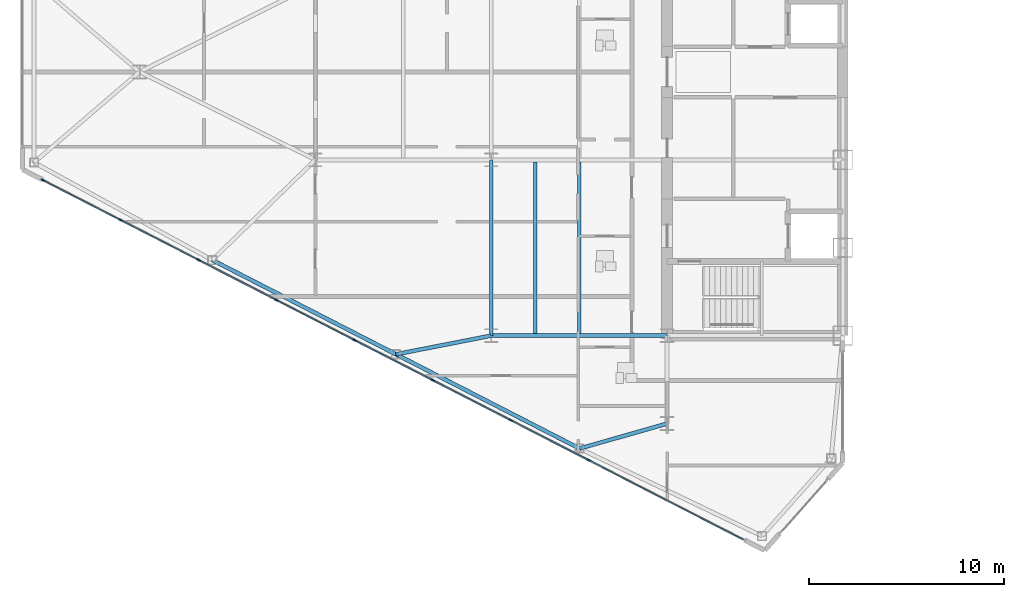
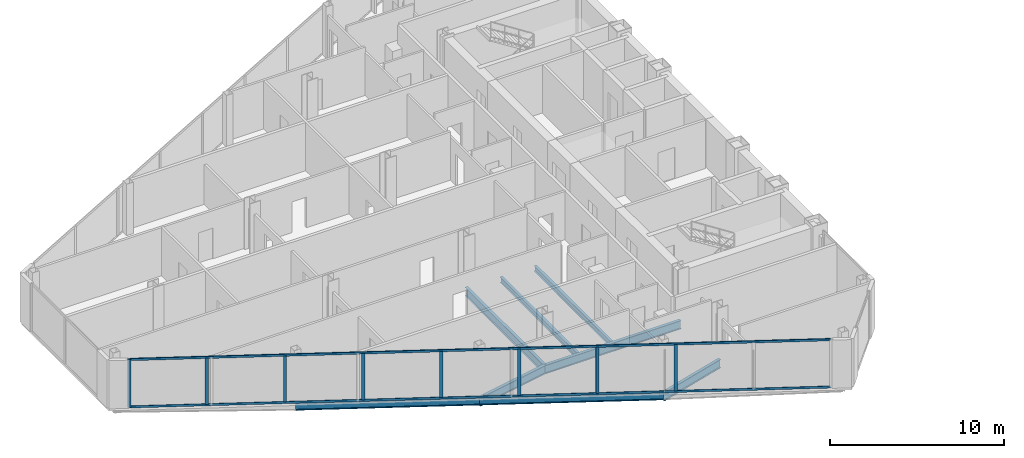
# One storey, part 3 of 23: 10 members, 8 beams, 1 element without a shape of its own.
"""IFC4 building model written with IfcOpenShell, lengths in metres."""

from ifc_helpers import new_model, si_unit, direction, frame, origin, origin_2d, place, context, subcontext, project, spatial, rectangle, i_section, extrude, source, transform, mapped, material, layer, layer_set, material_profile, profile_set, type_object, type_shapes, element, aggregate, save


model = new_model("IFC4")

# Units and contexts
model_context = context("Model", 3, precision=1e-05, world=origin(), true_north=direction((0.0, 1.0)))
body_context = subcontext(model_context, "Body", "Model", "MODEL_VIEW")
ifc_project = project(units=[si_unit("LENGTHUNIT", "METRE"), si_unit("AREAUNIT", "SQUARE_METRE"), si_unit("VOLUMEUNIT", "CUBIC_METRE"), si_unit("PLANEANGLEUNIT", "RADIAN"), si_unit("MASSUNIT", "GRAM", prefix="KILO")], contexts=[model_context])

# Site, building, storey
site_placement = place(None, origin())
site = spatial("IfcSite", under=ifc_project, at=site_placement, CompositionType="ELEMENT")
building_placement = place(site_placement, origin())
building = spatial("IfcBuilding", under=site, at=building_placement, Name="Seokmaru Belvedere", CompositionType="ELEMENT")
storey_placement = place(building_placement, frame((0.0, 0.0, 144.0)))
storey = spatial("IfcBuildingStorey", under=building, at=storey_placement, Name="L38", CompositionType="ELEMENT", Elevation=144.0)

# Beams
ifc_material_1 = material(Name="Steel SM355 (355 MPa)", Category="steel")
ifc_material_profile_1 = material_profile(ifc_material_1, i_section(OverallWidth=0.199951171875, OverallDepth=0.60009765625, WebThickness=0.010986328125, FlangeThickness=0.01708984375, at=origin_2d()), Name="H-600x200x11x17")
ifc_profile_set_1 = profile_set([ifc_material_profile_1], Name="Steel SM355 (355 MPa)")
beam_type_1 = type_object("IfcBeamType", Name="Primary Floor Girder H-600", PredefinedType="BEAM", material=ifc_profile_set_1)
shared_shape_1 = source(origin(), body_context, "Body", "SweptSolid", [
    extrude(i_section(OverallWidth=0.199951171875, OverallDepth=0.60009765625, WebThickness=0.010986328125, FlangeThickness=0.01708984375, at=origin_2d()), origin(), (0.0, 0.0, 1.0), 9.0),
])
for number, where, z_axis, x_axis, name in (
    (1, (-45.5, -13.5, -0.52001953125), (0.0, 1.0, 0.0), (-1.0, 0.0, 0.0), "L38 W Interior Grid Girder 1"),
    (2, (-45.5, -13.5, -0.52001953125), (1.0, 0.0, 0.0), (0.0, 1.0, 0.0), "L38 W Wing Primary Girder 1"),
):
    element("IfcBeam", number, at=place(storey_placement, frame(where, z_axis=z_axis, x_axis=x_axis)), inside=storey, type_object=beam_type_1, Name=name, PredefinedType="BEAM", context=body_context, shape_type="MappedRepresentation", body=[
        mapped(shared_shape_1, transform((0.0, 0.0, 0.0), scale=1.0)),
    ])
ifc_material_profile_2 = material_profile(ifc_material_1, i_section(OverallWidth=0.18505859375, OverallDepth=0.389892578125, WebThickness=0.008056640625, FlangeThickness=0.011962890625, at=origin_2d()), Name="H-390x185x8x12")
ifc_profile_set_2 = profile_set([ifc_material_profile_2], Name="Steel SM355 (355 MPa)")
beam_type_2 = type_object("IfcBeamType", Name="Secondary Floor Joist H-350", PredefinedType="JOIST", material=ifc_profile_set_2)
shared_shape_2 = source(origin(), body_context, "Body", "SweptSolid", [
    extrude(i_section(OverallWidth=0.18505859375, OverallDepth=0.389892578125, WebThickness=0.008056640625, FlangeThickness=0.011962890625, at=origin_2d()), origin(), (0.0, 0.0, 1.0), 8.7900390625),
])
type_shapes(beam_type_2, [shared_shape_2])
for number, where, z_axis, x_axis, name in (
    (3, (-43.25, -13.39501953125, -0.4150390625), (0.0, 1.0, 0.0), (-1.0, 0.0, 0.0), "L38 W Wing Inner Secondary Joist 1"),
    (4, (-41.0, -13.39501953125, -0.4150390625), (0.0, 1.0, 0.0), (-1.0, 0.0, 0.0), "L38 W Secondary Floor Joist 1"),
):
    element("IfcBeam", number, at=place(storey_placement, frame(where, z_axis=z_axis, x_axis=x_axis)), inside=storey, type_object=beam_type_2, Name=name, PredefinedType="JOIST", context=body_context, shape_type="MappedRepresentation", body=[
        mapped(shared_shape_2, transform((0.0, 0.0, 0.0), scale=1.0)),
    ])
ifc_material_profile_3 = material_profile(ifc_material_1, i_section(OverallWidth=0.199951171875, OverallDepth=0.5, WebThickness=0.010009765625, FlangeThickness=0.01611328125, at=origin_2d()), Name="H-500x200x10x16")
ifc_profile_set_3 = profile_set([ifc_material_profile_3], Name="Steel SM355 (355 MPa)")
beam_type_3 = type_object("IfcBeamType", Name="Perimeter Spandrel Beam H-500", PredefinedType="SPANDREL", material=ifc_profile_set_3)
shared_shape_3 = source(origin(), body_context, "Body", "SweptSolid", [
    extrude(i_section(OverallWidth=0.199951171875, OverallDepth=0.5, WebThickness=0.010009765625, FlangeThickness=0.01611328125, at=origin_2d()), origin(), (0.0, 0.0, 1.0), 10.56689453125),
])
type_shapes(beam_type_3, [shared_shape_3])
for number, where, z_axis, x_axis, name in (
    (5, (-40.975830078125, -19.277587890625, -0.469970703125), (-0.889701972758, 0.45654178305, 0.0), (-0.45654178305, -0.889701972758, 0.0), "L38 W Faceted Flank Spandrel S-2"),
    (6, (-50.377197265625, -14.453369140625, -0.469970703125), (-0.889692588006, 0.456560071455, 0.0), (-0.456560071455, -0.889692588006, 0.0), "L38 W Faceted Flank Spandrel S-3"),
):
    element("IfcBeam", number, at=place(storey_placement, frame(where, z_axis=z_axis, x_axis=x_axis)), inside=storey, type_object=beam_type_3, Name=name, PredefinedType="SPANDREL", context=body_context, shape_type="MappedRepresentation", body=[
        mapped(shared_shape_3, transform((0.0, 0.0, 0.0), scale=1.0)),
    ])
shared_shape_4 = source(origin(), body_context, "Body", "SweptSolid", [
    extrude(i_section(OverallWidth=0.199951171875, OverallDepth=0.60009765625, WebThickness=0.010986328125, FlangeThickness=0.01708984375, at=origin_2d()), origin(), (0.0, 0.0, 1.0), 4.654541015625),
])
beam_1_placement = place(storey_placement, frame((-40.975830078125, -19.277587890625, -0.52001953125), z_axis=(0.961593192625, 0.274478654721, 0.0), x_axis=(-0.274478654721, 0.961593192625, 0.0)))
element("IfcBeam", 7, at=beam_1_placement, inside=storey, type_object=beam_type_1, Name="L38 W Flank Radial Floor Girder S-1", PredefinedType="BEAM", context=body_context, shape_type="MappedRepresentation", body=[
    mapped(shared_shape_4, transform((0.0, 0.0, 0.0), scale=1.0)),
])
shared_shape_5 = source(origin(), body_context, "Body", "SweptSolid", [
    extrude(i_section(OverallWidth=0.199951171875, OverallDepth=0.60009765625, WebThickness=0.010986328125, FlangeThickness=0.01708984375, at=origin_2d()), origin(), (0.0, 0.0, 1.0), 4.969482421875),
])
type_shapes(beam_type_1, [shared_shape_1, shared_shape_4, shared_shape_5])
beam_2_placement = place(storey_placement, frame((-50.377197265625, -14.453369140625, -0.52001953125), z_axis=(0.98142544456, 0.19184393858, 0.0), x_axis=(-0.19184393858, 0.98142544456, 0.0)))
element("IfcBeam", 8, at=beam_2_placement, inside=storey, type_object=beam_type_1, Name="L38 W Flank Radial Floor Girder S-2", PredefinedType="BEAM", context=body_context, shape_type="MappedRepresentation", body=[
    mapped(shared_shape_5, transform((0.0, 0.0, 0.0), scale=1.0)),
])

# Curtain wall, members
ifc_material_2 = material(Name="Bronze Triple Insulating Glass", Category="glass")
ifc_layer = layer(ifc_material_2, 0.195068359375)
ifc_layer_set = layer_set([ifc_layer], Name="Bronze Triple Insulating Glass")
curtain_wall_type = type_object("IfcCurtainWallType", Name="Sky-Lobby and Mid-Rise Curtain Wall System CW-4", PredefinedType="NOTDEFINED", material=ifc_layer_set)
curtain_wall_placement = place(storey_placement, origin())
curtain_wall = element("IfcCurtainWall", 9, at=curtain_wall_placement, inside=storey, type_object=curtain_wall_type, Name="L38 Curtain Wall WF5", PredefinedType="NOTDEFINED")
ifc_material_3 = material(Name="Anodised Bronze Aluminium", Category="aluminium")
ifc_material_profile_4 = material_profile(ifc_material_3, rectangle(XDim=0.070068359375, YDim=0.195068359375, at=origin_2d()), Name="CW-M-70x195")
ifc_profile_set_4 = profile_set([ifc_material_profile_4], Name="Anodised Bronze Aluminium")
member_type_1 = type_object("IfcMemberType", Name="Bronze Unitised Mullion 70x195", PredefinedType="MULLION", material=ifc_profile_set_4)
shared_shape_6 = source(origin(), body_context, "Body", "SweptSolid", [
    extrude(rectangle(XDim=0.070068359375, YDim=0.195068359375, at=origin_2d()), origin(), (0.0, 0.0, 1.0), 3.3798828125),
])
member_1_placement = place(storey_placement, frame((-68.44580078125, -5.541015625, 0.0), z_axis=(0.0, 0.0, 1.0), x_axis=(0.456554528263, 0.889695432562, 0.0)))
member_1 = element("IfcMember", 10, at=member_1_placement, type_object=member_type_1, Name="CW:L38:WF5 Mullion 1", PredefinedType="MULLION", context=body_context, shape_type="MappedRepresentation", body=[
    mapped(shared_shape_6, transform((0.0, 0.0, 0.0), scale=1.0)),
])
shared_shape_7 = source(origin(), body_context, "Body", "SweptSolid", [
    extrude(rectangle(XDim=0.070068359375, YDim=0.195068359375, at=origin_2d()), origin(), (0.0, 0.0, 1.0), 3.25),
])
type_shapes(member_type_1, [shared_shape_6, shared_shape_7])
member_2_placement = place(storey_placement, frame((-64.48193359375, -7.574951171875, 0.06494140625), z_axis=(0.0, 0.0, 1.0), x_axis=(0.456554528263, 0.889695432562, 0.0)))
member_2 = element("IfcMember", 11, at=member_2_placement, type_object=member_type_1, Name="CW:L38:WF5 Mullion 2", PredefinedType="MULLION", context=body_context, shape_type="MappedRepresentation", body=[
    mapped(shared_shape_7, transform((0.0, 0.0, 0.0), scale=1.0)),
])
member_3_placement = place(storey_placement, frame((-60.4873046875, -9.625, 0.06494140625), z_axis=(0.0, 0.0, 1.0), x_axis=(0.456554528263, 0.889695432562, 0.0)))
member_3 = element("IfcMember", 12, at=member_3_placement, type_object=member_type_1, Name="CW:L38:WF5 Mullion 3", PredefinedType="MULLION", context=body_context, shape_type="MappedRepresentation", body=[
    mapped(shared_shape_7, transform((0.0, 0.0, 0.0), scale=1.0)),
])
member_4_placement = place(storey_placement, frame((-56.4921875, -11.675048828125, 0.06494140625), z_axis=(0.0, 0.0, 1.0), x_axis=(0.456554528263, 0.889695432562, 0.0)))
member_4 = element("IfcMember", 13, at=member_4_placement, type_object=member_type_1, Name="CW:L38:WF5 Mullion 4", PredefinedType="MULLION", context=body_context, shape_type="MappedRepresentation", body=[
    mapped(shared_shape_7, transform((0.0, 0.0, 0.0), scale=1.0)),
])
member_5_placement = place(storey_placement, frame((-52.497314453125, -13.72509765625, 0.06494140625), z_axis=(0.0, 0.0, 1.0), x_axis=(0.456554528263, 0.889695432562, 0.0)))
member_5 = element("IfcMember", 14, at=member_5_placement, type_object=member_type_1, Name="CW:L38:WF5 Mullion 5", PredefinedType="MULLION", context=body_context, shape_type="MappedRepresentation", body=[
    mapped(shared_shape_7, transform((0.0, 0.0, 0.0), scale=1.0)),
])
member_6_placement = place(storey_placement, frame((-48.502685546875, -15.77490234375, 0.06494140625), z_axis=(0.0, 0.0, 1.0), x_axis=(0.456554528263, 0.889695432562, 0.0)))
member_6 = element("IfcMember", 15, at=member_6_placement, type_object=member_type_1, Name="CW:L38:WF5 Mullion 6", PredefinedType="MULLION", context=body_context, shape_type="MappedRepresentation", body=[
    mapped(shared_shape_7, transform((0.0, 0.0, 0.0), scale=1.0)),
])
member_7_placement = place(storey_placement, frame((-44.5078125, -17.824951171875, 0.06494140625), z_axis=(0.0, 0.0, 1.0), x_axis=(0.456554528263, 0.889695432562, 0.0)))
member_7 = element("IfcMember", 16, at=member_7_placement, type_object=member_type_1, Name="CW:L38:WF5 Mullion 7", PredefinedType="MULLION", context=body_context, shape_type="MappedRepresentation", body=[
    mapped(shared_shape_7, transform((0.0, 0.0, 0.0), scale=1.0)),
])
member_8_placement = place(storey_placement, frame((-40.5126953125, -19.875, 0.06494140625), z_axis=(0.0, 0.0, 1.0), x_axis=(0.456554528263, 0.889695432562, 0.0)))
member_8 = element("IfcMember", 17, at=member_8_placement, type_object=member_type_1, Name="CW:L38:WF5 Mullion 8", PredefinedType="MULLION", context=body_context, shape_type="MappedRepresentation", body=[
    mapped(shared_shape_7, transform((0.0, 0.0, 0.0), scale=1.0)),
])
ifc_material_profile_5 = material_profile(ifc_material_3, rectangle(XDim=0.06494140625, YDim=0.14990234375, at=origin_2d()), Name="CW-T-65x150")
ifc_profile_set_5 = profile_set([ifc_material_profile_5], Name="Anodised Bronze Aluminium")
member_type_2 = type_object("IfcMemberType", Name="Bronze Unitised Transom 65x150", PredefinedType="USERDEFINED", material=ifc_profile_set_5)
shared_shape_8 = source(origin(), body_context, "Body", "SweptSolid", [
    extrude(rectangle(XDim=0.06494140625, YDim=0.14990234375, at=origin_2d()), origin(), (0.0, 0.0, 1.0), 40.271240234375),
])
type_shapes(member_type_2, [shared_shape_8])
member_9_placement = place(storey_placement, frame((-68.41455078125, -5.556884765625, 0.032470703125), z_axis=(0.889693089107, -0.456559094965, 0.0), x_axis=(0.456559094965, 0.889693089107, 0.0)))
member_9 = element("IfcMember", 18, at=member_9_placement, type_object=member_type_2, Name="CW:L38:WF5 Continuous Transom 1", ObjectType="TRANSOM", PredefinedType="USERDEFINED", context=body_context, shape_type="MappedRepresentation", body=[
    mapped(shared_shape_8, transform((0.0, 0.0, 0.0), scale=1.0)),
])
member_10_placement = place(storey_placement, frame((-68.41455078125, -5.556884765625, 3.347412109375), z_axis=(0.889693089107, -0.456559094965, 0.0), x_axis=(0.456559094965, 0.889693089107, 0.0)))
member_10 = element("IfcMember", 19, at=member_10_placement, type_object=member_type_2, Name="CW:L38:WF5 Continuous Transom 2", ObjectType="TRANSOM", PredefinedType="USERDEFINED", context=body_context, shape_type="MappedRepresentation", body=[
    mapped(shared_shape_8, transform((0.0, 0.0, 0.0), scale=1.0)),
])
aggregate(curtain_wall, [member_1, member_2, member_3, member_4, member_5, member_6, member_7, member_8, member_9, member_10])

save(model, "model.ifc")
